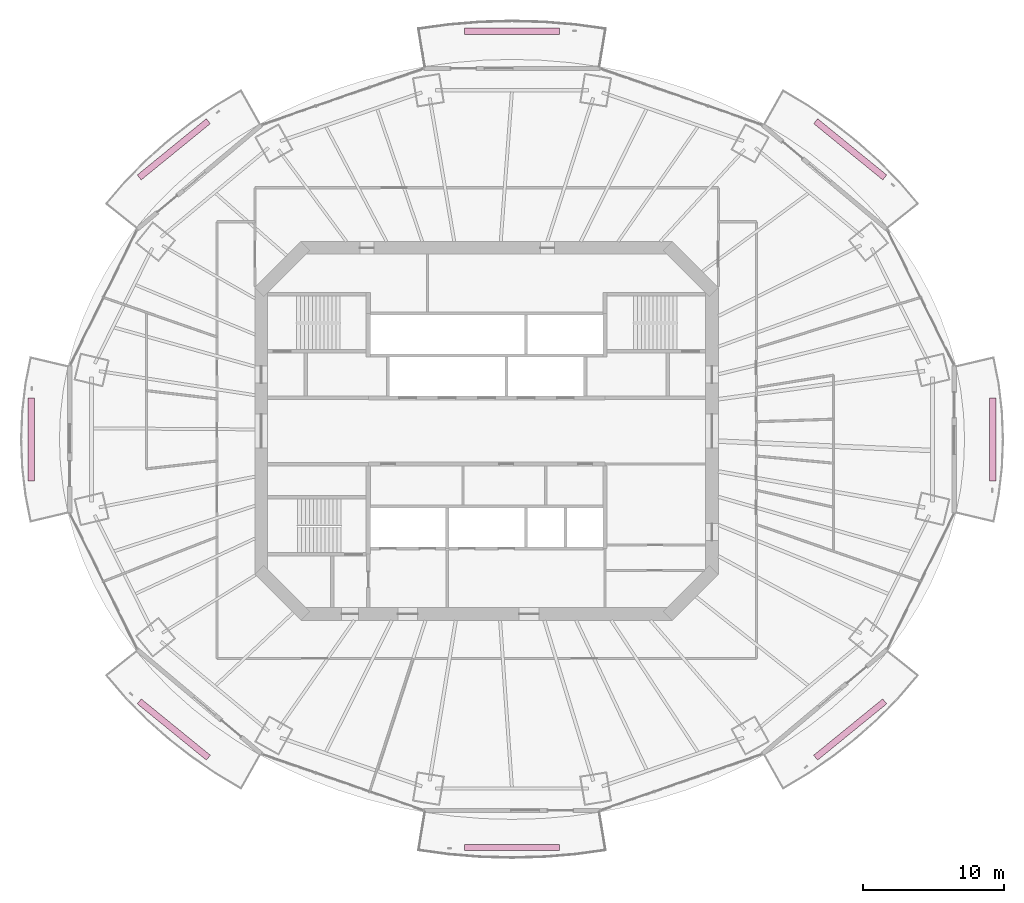
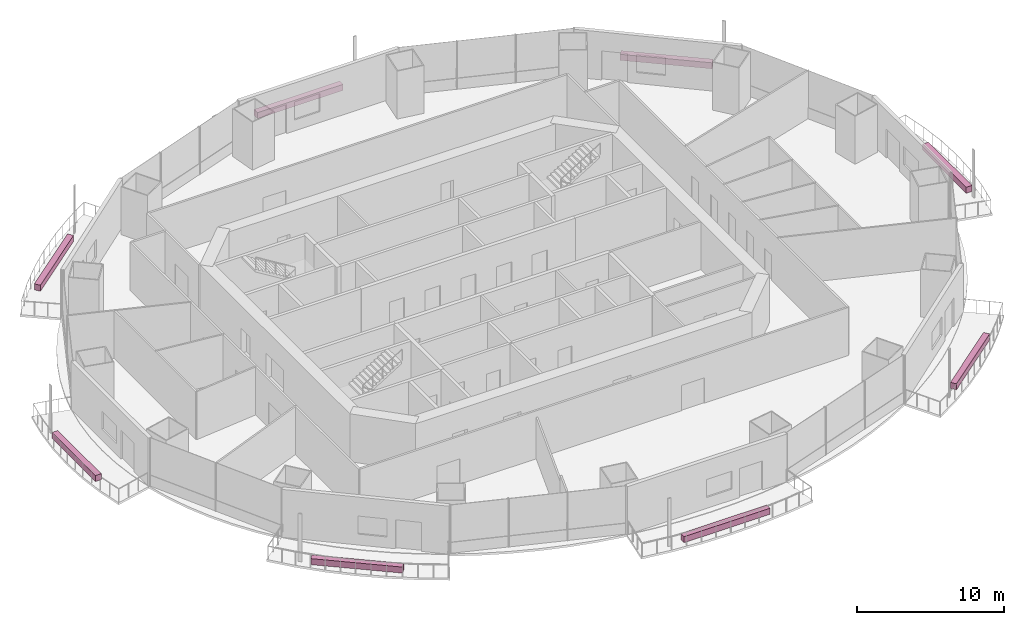
# One storey, part 20 of 20: 8 furnishings.
"""IFC4 building model written with IfcOpenShell, lengths in metres."""

from ifc_helpers import new_model, si_unit, direction, frame, origin, origin_2d, place, context, subcontext, project, spatial, rectangle, extrude, material, type_object, element, save


model = new_model("IFC4")

# Units and contexts
model_context = context("Model", 3, precision=1e-05, world=origin(), true_north=direction((0.0, 1.0)))
body_context = subcontext(model_context, "Body", "Model", "MODEL_VIEW")
ifc_project = project(units=[si_unit("LENGTHUNIT", "METRE"), si_unit("AREAUNIT", "SQUARE_METRE"), si_unit("VOLUMEUNIT", "CUBIC_METRE"), si_unit("PLANEANGLEUNIT", "RADIAN"), si_unit("MASSUNIT", "GRAM", prefix="KILO")], contexts=[model_context])

# Site, building, storey
site_placement = place(None, origin())
site = spatial("IfcSite", under=ifc_project, at=site_placement, CompositionType="ELEMENT")
building_placement = place(site_placement, origin())
building = spatial("IfcBuilding", under=site, at=building_placement, Name="Marenthal Gate Tower", CompositionType="ELEMENT")
storey_placement = place(building_placement, frame((0.0, 0.0, 194.25)))
storey = spatial("IfcBuildingStorey", under=building, at=storey_placement, Name="L42", CompositionType="ELEMENT", Elevation=194.25)

# Furnishings
ifc_material = material(Name="Planting soil and foliage", Category="planting")
furnishing_element_type = type_object("IfcFurnishingElementType", Name="Balcony PLANTER trough", material=ifc_material)
furnishing_1_placement = place(storey_placement, frame((25.81494140625, 19.99853515625, -0.0400390625), z_axis=(0.0, 0.0, 1.0), x_axis=(-0.775321700269, 0.631566513592, 0.0)))
element("IfcFurnishingElement", 1, at=furnishing_1_placement, inside=storey, type_object=furnishing_element_type, Name="Balcony PLANTER L42 bay 2", ObjectType="PLANTER", context=body_context, shape_type="SweptSolid", body=[
    extrude(rectangle(XDim=6.327392578125, YDim=0.449951171875, at=origin_2d()), origin(), (0.0, 0.0, 1.0), 0.5),
])
furnishing_2_placement = place(storey_placement, frame((1.800048828125, 28.3759765625, -0.0400390625), z_axis=(0.0, 0.0, 1.0), x_axis=(-1.0, 0.0, 0.0)))
element("IfcFurnishingElement", 2, at=furnishing_2_placement, inside=storey, type_object=furnishing_element_type, Name="Balcony PLANTER L42 bay 4", ObjectType="PLANTER", context=body_context, shape_type="SweptSolid", body=[
    extrude(rectangle(XDim=6.73046875, YDim=0.449951171875, at=origin_2d()), origin(), (0.0, 0.0, 1.0), 0.5),
])
furnishing_3_placement = place(storey_placement, frame((-22.21484375, 19.99853515625, -0.0400390625), z_axis=(0.0, 0.0, 1.0), x_axis=(-0.775321700269, -0.631566513592, 0.0)))
element("IfcFurnishingElement", 3, at=furnishing_3_placement, inside=storey, type_object=furnishing_element_type, Name="Balcony PLANTER L42 bay 6", ObjectType="PLANTER", context=body_context, shape_type="SweptSolid", body=[
    extrude(rectangle(XDim=6.327392578125, YDim=0.449951171875, at=origin_2d()), origin(), (0.0, 0.0, 1.0), 0.5),
])
furnishing_4_placement = place(storey_placement, frame((-32.330078125, -0.60009765625, -0.0400390625), z_axis=(0.0, 0.0, 1.0), x_axis=(0.0, -1.0, 0.0)))
element("IfcFurnishingElement", 4, at=furnishing_4_placement, inside=storey, type_object=furnishing_element_type, Name="Balcony PLANTER L42 bay 8", ObjectType="PLANTER", context=body_context, shape_type="SweptSolid", body=[
    extrude(rectangle(XDim=5.9091796875, YDim=0.449951171875, at=origin_2d()), origin(), (0.0, 0.0, 1.0), 0.5),
])
furnishing_5_placement = place(storey_placement, frame((-22.21484375, -21.19873046875, -0.0400390625), z_axis=(0.0, 0.0, 1.0), x_axis=(0.775321700269, -0.631566513592, 0.0)))
element("IfcFurnishingElement", 5, at=furnishing_5_placement, inside=storey, type_object=furnishing_element_type, Name="Balcony PLANTER L42 bay 10", ObjectType="PLANTER", context=body_context, shape_type="SweptSolid", body=[
    extrude(rectangle(XDim=6.327392578125, YDim=0.449951171875, at=origin_2d()), origin(), (0.0, 0.0, 1.0), 0.5),
])
furnishing_6_placement = place(storey_placement, frame((1.800048828125, -29.575927734375, -0.0400390625), z_axis=(0.0, 0.0, 1.0), x_axis=(1.0, 0.0, 0.0)))
element("IfcFurnishingElement", 6, at=furnishing_6_placement, inside=storey, type_object=furnishing_element_type, Name="Balcony PLANTER L42 bay 12", ObjectType="PLANTER", context=body_context, shape_type="SweptSolid", body=[
    extrude(rectangle(XDim=6.73046875, YDim=0.449951171875, at=origin_2d()), origin(), (0.0, 0.0, 1.0), 0.5),
])
furnishing_7_placement = place(storey_placement, frame((25.81494140625, -21.19873046875, -0.0400390625), z_axis=(0.0, 0.0, 1.0), x_axis=(0.775321700269, 0.631566513592, 0.0)))
element("IfcFurnishingElement", 7, at=furnishing_7_placement, inside=storey, type_object=furnishing_element_type, Name="Balcony PLANTER L42 bay 14", ObjectType="PLANTER", context=body_context, shape_type="SweptSolid", body=[
    extrude(rectangle(XDim=6.327392578125, YDim=0.449951171875, at=origin_2d()), origin(), (0.0, 0.0, 1.0), 0.5),
])
furnishing_8_placement = place(storey_placement, frame((35.929931640625, -0.60009765625, -0.0400390625), z_axis=(0.0, 0.0, 1.0), x_axis=(0.0, 1.0, 0.0)))
element("IfcFurnishingElement", 8, at=furnishing_8_placement, inside=storey, type_object=furnishing_element_type, Name="Balcony PLANTER L42 bay 16", ObjectType="PLANTER", context=body_context, shape_type="SweptSolid", body=[
    extrude(rectangle(XDim=5.9091796875, YDim=0.449951171875, at=origin_2d()), origin(), (0.0, 0.0, 1.0), 0.5),
])

save(model, "model.ifc")
